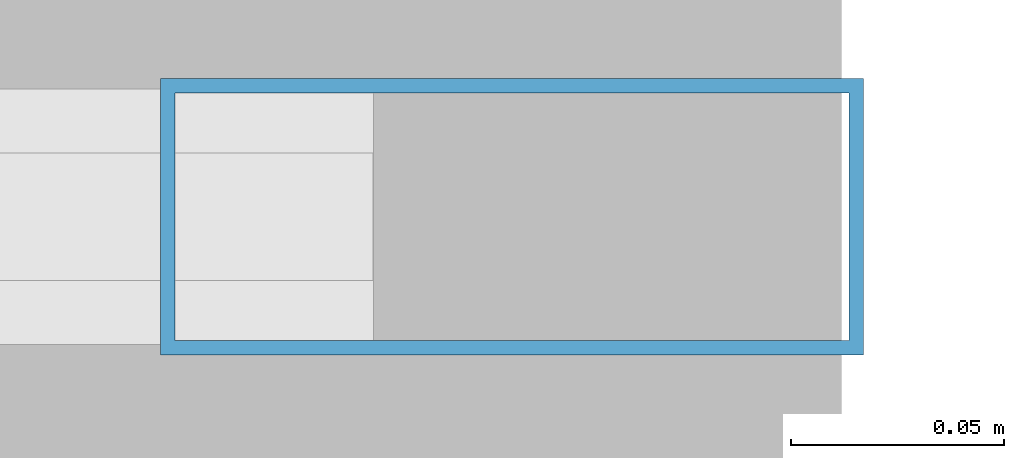
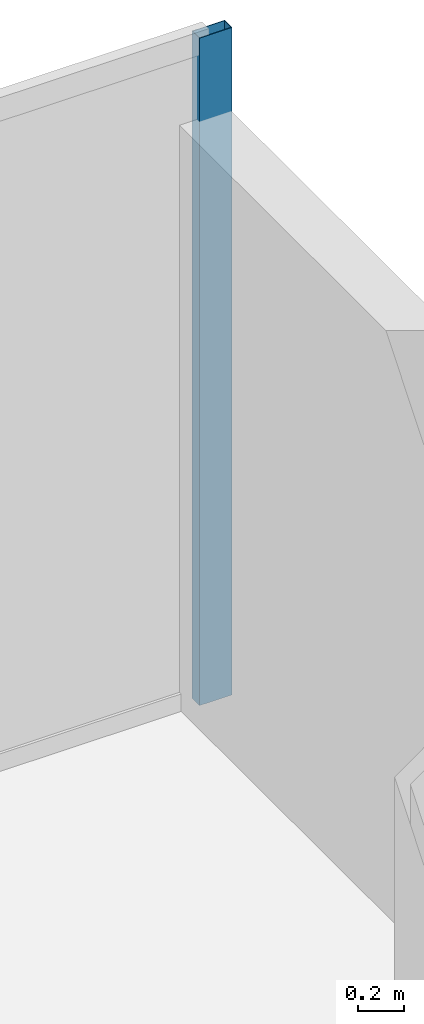
# One storey, part 23 of 31: 1 member, 1 element without a shape of its own.
"""IFC4 building model written with IfcOpenShell, lengths in metres."""

from ifc_helpers import new_model, si_unit, direction, frame, origin, origin_2d, place, context, subcontext, project, spatial, hollow_rectangle, extrude, source, transform, mapped, material, layer, layer_set, material_profile, profile_set, type_object, type_shapes, element, aggregate, save


model = new_model("IFC4")

# Units and contexts
model_context = context("Model", 3, precision=1e-05, world=origin(), true_north=direction((0.0, 1.0)))
body_context = subcontext(model_context, "Body", "Model", "MODEL_VIEW")
ifc_project = project(units=[si_unit("LENGTHUNIT", "METRE"), si_unit("AREAUNIT", "SQUARE_METRE"), si_unit("VOLUMEUNIT", "CUBIC_METRE"), si_unit("PLANEANGLEUNIT", "RADIAN"), si_unit("MASSUNIT", "GRAM", prefix="KILO")], contexts=[model_context])

# Site, building, storey
site_placement = place(None, origin())
site = spatial("IfcSite", under=ifc_project, at=site_placement, CompositionType="ELEMENT")
building_placement = place(site_placement, origin())
building = spatial("IfcBuilding", under=site, at=building_placement, Name="Varnel Quay Broadcast Tower", CompositionType="ELEMENT")
storey_placement = place(building_placement, frame((0.0, 0.0, 157.199951171875)))
storey = spatial("IfcBuildingStorey", under=building, at=storey_placement, Name="L38", CompositionType="ELEMENT", Elevation=157.199951171875)

# Curtain wall, member
ifc_material = material(Name="Anodised Bronze Aluminium 6063-T6", Category="aluminium")
ifc_layer = layer(ifc_material, 0.18994140625, Name="Anodised Bronze Aluminium 6063-T6")
ifc_layer_set = layer_set([ifc_layer], Name="Anodised Bronze Aluminium 6063-T6")
curtain_wall_type = type_object("IfcCurtainWallType", Name="CW_UpperTower", PredefinedType="NOTDEFINED", material=ifc_layer_set)
curtain_wall_placement = place(storey_placement, origin())
curtain_wall = element("IfcCurtainWall", 1, at=curtain_wall_placement, inside=storey, type_object=curtain_wall_type, Name="L38 NE Wing Curtain Wall", PredefinedType="NOTDEFINED")
ifc_material_profile = material_profile(ifc_material, hollow_rectangle(XDim=0.06494140625, YDim=0.1650390625, WallThickness=0.00341796875, at=origin_2d()), Name="ALU65X165X3.5")
ifc_profile_set = profile_set([ifc_material_profile], Name="Anodised Bronze Aluminium 6063-T6")
member_type = type_object("IfcMemberType", Name="Mull_CWS-03", PredefinedType="MULLION", material=ifc_profile_set)
shared_shape = source(origin(), body_context, "Body", "SweptSolid", [
    extrude(hollow_rectangle(XDim=0.06494140625, YDim=0.1650390625, WallThickness=0.00341796875, at=origin_2d()), origin(), (0.0, 0.0, 1.0), 3.550048828125),
])
type_shapes(member_type, [shared_shape])
member_placement = place(storey_placement, frame((57.447509765625, 46.64990234375, 0.0), z_axis=(0.0, 0.0, 1.0), x_axis=(0.0, 1.0, 0.0)))
member = element("IfcMember", 2, at=member_placement, type_object=member_type, Name="CWS-03 mullion 2", PredefinedType="MULLION", context=body_context, shape_type="MappedRepresentation", body=[
    mapped(shared_shape, transform((0.0, 0.0, 0.0), x_axis=(1.0, 0.0, 0.0), y_axis=(0.0, 1.0, 0.0), z_axis=(0.0, 0.0, 1.0), scale=1.0)),
])
aggregate(curtain_wall, [member])

save(model, "model.ifc")
